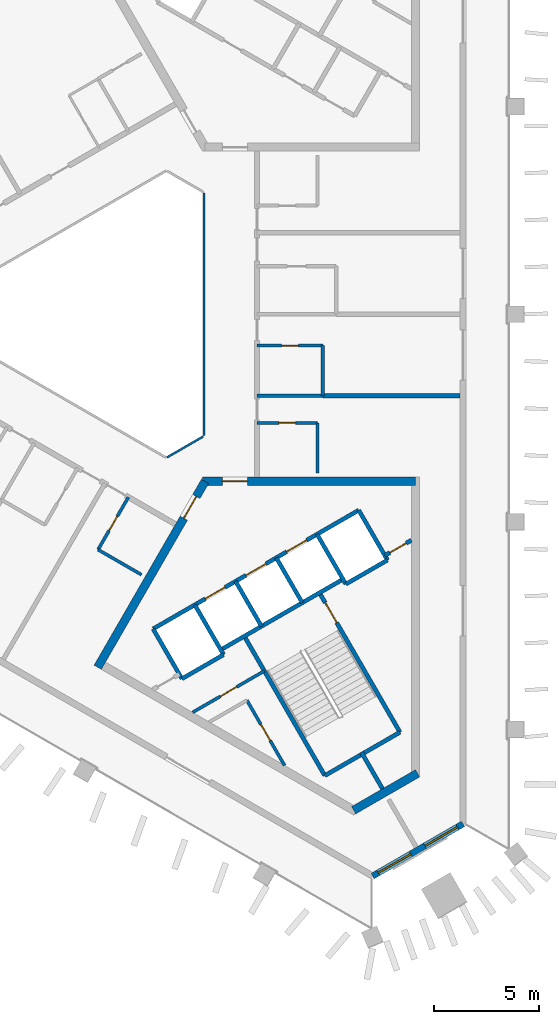
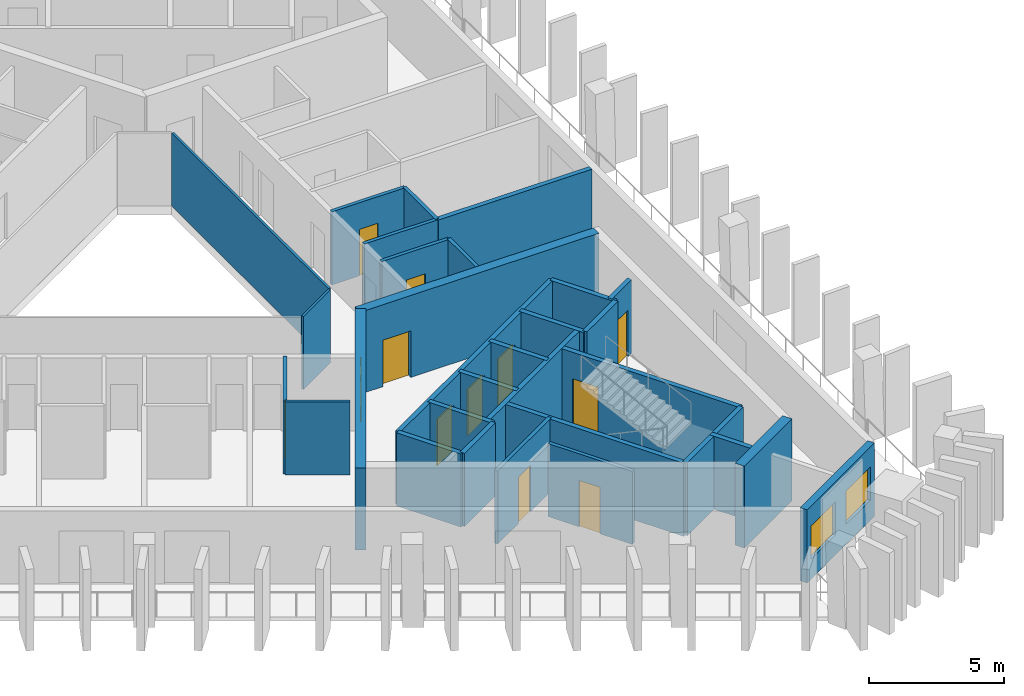
# One storey, part 3 of 10: 31 walls, 12 doors, 2 windows, 14 openings.
"""IFC4 building model written with IfcOpenShell, lengths in metres."""

from ifc_helpers import new_model, si_unit, direction, frame, frame_2d, origin, place, context, subcontext, project, spatial, rectangle, extrude, material, layer, layer_set, type_object, element, fill, save


model = new_model("IFC4")

# Units and contexts
model_context = context("Model", 3, precision=1e-05, world=origin(), true_north=direction((0.0, 1.0)))
body_context = subcontext(model_context, "Body", "Model", "MODEL_VIEW")
ifc_project = project(units=[si_unit("LENGTHUNIT", "METRE"), si_unit("AREAUNIT", "SQUARE_METRE"), si_unit("VOLUMEUNIT", "CUBIC_METRE"), si_unit("PLANEANGLEUNIT", "RADIAN"), si_unit("MASSUNIT", "GRAM", prefix="KILO")], contexts=[model_context])

# Site, building, storey
site_placement = place(None, origin())
site = spatial("IfcSite", under=ifc_project, at=site_placement, CompositionType="ELEMENT")
building_placement = place(site_placement, origin())
building = spatial("IfcBuilding", under=site, at=building_placement, Name="Jabali Bay Hotel Tower and Convention Centre", CompositionType="ELEMENT")
storey_placement = place(building_placement, frame((0.0, 0.0, 255.300048828125)))
storey = spatial("IfcBuildingStorey", under=building, at=storey_placement, Name="L62", CompositionType="ELEMENT", Elevation=255.300048828125)

# Walls
ifc_material_1 = material(Name="Fire-resistant glazing", Category="glass")
ifc_layer_1 = layer(ifc_material_1, 0.10009765625)
ifc_layer_set_1 = layer_set([ifc_layer_1], Name="Fire-resistant glazing")
wall_type_1 = type_object("IfcWallType", Name="Atrium glazed screen 100", PredefinedType="PARTITIONING", material=ifc_layer_set_1)
wall_1_placement = place(storey_placement, frame((79.56005859375, 74.205810546875, 0.0), z_axis=(0.0, 0.0, 1.0), x_axis=(0.0, 1.0, 0.0)))
element("IfcWall", 1, at=wall_1_placement, inside=storey, type_object=wall_type_1, Name="Atrium screen 1 L62", PredefinedType="PARTITIONING", context=body_context, shape_type="SweptSolid", body=[
    extrude(rectangle(XDim=11.58837890625, YDim=0.10009765625, at=frame_2d((5.794189453125, 0.0))), origin(), (0.0, 0.0, 1.0), 3.300048828125),
])
wall_2_placement = place(storey_placement, frame((77.7978515625, 73.15380859375, 0.0), z_axis=(0.0, 0.0, 1.0), x_axis=(0.866041268327, 0.499972520799, 0.0)))
element("IfcWall", 2, at=wall_2_placement, inside=storey, type_object=wall_type_1, Name="Atrium screen 6 L62", PredefinedType="PARTITIONING", context=body_context, shape_type="SweptSolid", body=[
    extrude(rectangle(XDim=2.0, YDim=0.10009765625, at=frame_2d((1.0, 0.0))), origin(), (0.0, 0.0, 1.0), 3.300048828125),
])
ifc_material_2 = material(Name="Concrete C40", Category="concrete")
ifc_layer_2 = layer(ifc_material_2, 0.199951171875)
ifc_layer_set_2 = layer_set([ifc_layer_2], Name="Concrete C40")
wall_type_2 = type_object("IfcWallType", Name="Core partition wall 200", PredefinedType="PARTITIONING", material=ifc_layer_set_2)
wall_3_placement = place(storey_placement, frame((87.090087890625, 59.0595703125, 0.0), z_axis=(0.0, 0.0, 1.0), x_axis=(0.499941815747, -0.866058993873, 0.0)))
element("IfcWall", 3, at=wall_3_placement, inside=storey, type_object=wall_type_2, Name="Core wall 2.5 L62", PredefinedType="PARTITIONING", context=body_context, shape_type="SweptSolid", body=[
    extrude(rectangle(XDim=2.023193359375, YDim=0.199951171875, at=frame_2d((1.01171875, 0.0))), origin(), (0.0, 0.0, 1.0), 3.300048828125),
])

# Wall, opening, door
wall_4_placement = place(storey_placement, frame((88.214599609375, 68.46142578125, 0.0), z_axis=(0.0, 0.0, 1.0), x_axis=(0.865982457891, 0.500074377092, 0.0)))
wall_4 = element("IfcWall", 4, at=wall_4_placement, inside=storey, type_object=wall_type_2, Name="Core wall 2.13 L62", PredefinedType="PARTITIONING", context=body_context, shape_type="SweptSolid", body=[
    extrude(rectangle(XDim=1.461181640625, YDim=0.199951171875, at=frame_2d((0.73046875, 0.0))), origin(), (0.0, 0.0, 1.0), 3.300048828125),
])
opening_1_placement = place(wall_4_placement, frame((0.280517578125, 0.0, 0.0)))
opening_1 = element("IfcOpeningElement", 5, at=opening_1_placement, cuts=wall_4, Name="Opening D1372", PredefinedType="OPENING", context=body_context, shape_type="SweptSolid", body=[
    extrude(rectangle(XDim=0.89990234375, YDim=2.10009765625, at=frame_2d((0.449951171875, 1.050048828125))), frame((0.0, 0.1103515625, 0.0), z_axis=(0.0, -1.0, 0.0), x_axis=(1.0, 0.0, 0.0)), (0.0, 0.0, 1.0), 0.220947265625),
])
ifc_material_3 = material(Name="Fire-rated steel door", Category="steel")
door_type_1 = type_object("IfcDoorType", Name="Vestibule fire door 900 x 2100", OperationType="NOTDEFINED", PredefinedType="NOTDEFINED", material=ifc_material_3)
door_1_placement = place(opening_1_placement, origin())
door_1 = element("IfcDoor", 6, at=door_1_placement, inside=storey, type_object=door_type_1, Name="Vestibule fire door D1372", OperationType="SINGLE_SWING_LEFT", OverallHeight=2.10009765625, OverallWidth=0.89990234375, PredefinedType="NOTDEFINED", context=body_context, shape_type="SweptSolid", body=[
    extrude(rectangle(XDim=0.89990234375, YDim=2.10009765625, at=frame_2d((0.449951171875, 1.050048828125))), frame((0.0, 0.02490234375, 0.0), z_axis=(0.0, -1.0, 0.0), x_axis=(1.0, 0.0, 0.0)), (0.0, 0.0, 1.0), 0.050048828125),
])
fill(opening_1, door_1)

ifc_material_4 = material(Name="Fire-rated board partition")
ifc_layer_3 = layer(ifc_material_4, 0.14990234375)
ifc_layer_set_3 = layer_set([ifc_layer_3], Name="Fire-rated board partition")
wall_type_3 = type_object("IfcWallType", Name="Core room partition 150", PredefinedType="PARTITIONING", material=ifc_layer_set_3)
wall_5_placement = place(storey_placement, frame((81.618896484375, 61.53564453125, 0.0), z_axis=(0.0, 0.0, 1.0), x_axis=(0.499992664208, -0.866029639064, 0.0)))
wall_5 = element("IfcWall", 7, at=wall_5_placement, inside=storey, type_object=wall_type_3, Name="Core wall 2.1 L62", PredefinedType="PARTITIONING", context=body_context, shape_type="SweptSolid", body=[
    extrude(rectangle(XDim=3.59765625, YDim=0.14990234375, at=frame_2d((1.798828125, 0.0))), origin(), (0.0, 0.0, 1.0), 3.300048828125),
])
opening_2_placement = place(wall_5_placement, frame((1.321533203125, 0.0, 0.0)))
opening_2 = element("IfcOpeningElement", 8, at=opening_2_placement, cuts=wall_5, Name="Opening D1375", PredefinedType="OPENING", context=body_context, shape_type="SweptSolid", body=[
    extrude(rectangle(XDim=0.89990234375, YDim=2.10009765625, at=frame_2d((0.449951171875, 1.050048828125))), frame((0.0, 0.08544921875, 0.0), z_axis=(0.0, -1.0, 0.0), x_axis=(1.0, 0.0, 0.0)), (0.0, 0.0, 1.0), 0.1708984375),
])
door_type_2 = type_object("IfcDoorType", Name="Core room door 900 x 2100", OperationType="NOTDEFINED", PredefinedType="NOTDEFINED", material=ifc_material_3)
door_2_placement = place(opening_2_placement, origin())
door_2 = element("IfcDoor", 9, at=door_2_placement, inside=storey, type_object=door_type_2, Name="Core room door D1375", OperationType="SINGLE_SWING_LEFT", OverallHeight=2.10009765625, OverallWidth=0.89990234375, PredefinedType="NOTDEFINED", context=body_context, shape_type="SweptSolid", body=[
    extrude(rectangle(XDim=0.89990234375, YDim=2.10009765625, at=frame_2d((0.449951171875, 1.050048828125))), frame((0.0, 0.02490234375, 0.0), z_axis=(0.0, -1.0, 0.0), x_axis=(1.0, 0.0, 0.0)), (0.0, 0.0, 1.0), 0.050048828125),
])
fill(opening_2, door_2)

wall_6_placement = place(storey_placement, frame((79.02001953125, 60.958984375, 0.0), z_axis=(0.0, 0.0, 1.0), x_axis=(0.866028661061, 0.499994358189, 0.0)))
wall_6 = element("IfcWall", 10, at=wall_6_placement, inside=storey, type_object=wall_type_3, Name="Core wall 2.16 L62", PredefinedType="PARTITIONING", context=body_context, shape_type="SweptSolid", body=[
    extrude(rectangle(XDim=3.9638671875, YDim=0.14990234375, at=frame_2d((1.98193359375, 0.0))), origin(), (0.0, 0.0, 1.0), 3.300048828125),
])
opening_3_placement = place(wall_6_placement, frame((1.531982421875, 0.0, 0.0)))
opening_3 = element("IfcOpeningElement", 11, at=opening_3_placement, cuts=wall_6, Name="Opening D1371", PredefinedType="OPENING", context=body_context, shape_type="SweptSolid", body=[
    extrude(rectangle(XDim=0.89990234375, YDim=2.10009765625, at=frame_2d((0.449951171875, 1.050048828125))), frame((0.0, 0.08544921875, 0.0), z_axis=(0.0, -1.0, 0.0), x_axis=(1.0, 0.0, 0.0)), (0.0, 0.0, 1.0), 0.1708984375),
])
door_3_placement = place(opening_3_placement, origin())
door_3 = element("IfcDoor", 12, at=door_3_placement, inside=storey, type_object=door_type_2, Name="Core room door D1371", OperationType="SINGLE_SWING_RIGHT", OverallHeight=2.10009765625, OverallWidth=0.89990234375, PredefinedType="NOTDEFINED", context=body_context, shape_type="SweptSolid", body=[
    extrude(rectangle(XDim=0.89990234375, YDim=2.10009765625, at=frame_2d((0.449951171875, 1.050048828125))), frame((0.0, 0.02490234375, 0.0), z_axis=(0.0, -1.0, 0.0), x_axis=(1.0, 0.0, 0.0)), (0.0, 0.0, 1.0), 0.050048828125),
])
fill(opening_3, door_3)

# Walls
ifc_layer_4 = layer(ifc_material_2, 0.199951171875)
ifc_layer_set_4 = layer_set([ifc_layer_4], Name="Concrete C40")
wall_type_4 = type_object("IfcWallType", Name="Core stair wall 200", PredefinedType="SOLIDWALL", material=ifc_layer_set_4)
for number, where, z_axis, x_axis, name in (
    (13, (77.13525390625, 64.95166015625, 0.0), (0.0, 0.0, 1.0), (0.499996545922, -0.866027397988, 0.0), "Core wall 2.0 L62"),
    (14, (79.127197265625, 66.1015625, 0.0), (0.0, 0.0, 1.0), (0.499996545922, -0.866027397988, 0.0), "Core wall 2.2 L62"),
):
    element("IfcWall", number, at=place(storey_placement, frame(where, z_axis=z_axis, x_axis=x_axis)), inside=storey, type_object=wall_type_4, Name=name, PredefinedType="SOLIDWALL", context=body_context, shape_type="SweptSolid", body=[
        extrude(rectangle(XDim=2.75, YDim=0.199951171875, at=frame_2d((1.375, 0.0))), origin(), (0.0, 0.0, 1.0), 3.300048828125),
    ])
wall_7_placement = place(storey_placement, frame((81.492919921875, 64.603759765625, 0.0), z_axis=(0.0, 0.0, 1.0), x_axis=(0.500006057782, -0.866021906294, 0.0)))
element("IfcWall", 15, at=wall_7_placement, inside=storey, type_object=wall_type_4, Name="Core wall 2.3 L62", PredefinedType="SOLIDWALL", context=body_context, shape_type="SweptSolid", body=[
    extrude(rectangle(XDim=7.7001953125, YDim=0.199951171875, at=frame_2d((3.85009765625, 0.0))), origin(), (0.0, 0.0, 1.0), 3.300048828125),
])
for number, where, z_axis, x_axis, name in (
    (16, (81.07568359375, 67.2265625, 0.0), (0.0, 0.0, 1.0), (0.50000366821, -0.866023285932, 0.0), "Core wall 2.4 L62"),
    (17, (83.024169921875, 68.3515625, 0.0), (0.0, 0.0, 1.0), (0.50000366821, -0.866023285932, 0.0), "Core wall 2.6 L62"),
):
    element("IfcWall", number, at=place(storey_placement, frame(where, z_axis=z_axis, x_axis=x_axis)), inside=storey, type_object=wall_type_4, Name=name, PredefinedType="SOLIDWALL", context=body_context, shape_type="SweptSolid", body=[
        extrude(rectangle(XDim=2.47998046875, YDim=0.199951171875, at=frame_2d((1.239990234375, 0.0))), origin(), (0.0, 0.0, 1.0), 3.300048828125),
    ])

# Wall, opening, door
wall_8_placement = place(storey_placement, frame((85.0869140625, 66.6787109375, 0.0), z_axis=(0.0, 0.0, 1.0), x_axis=(0.500019787375, -0.866013979237, 0.0)))
wall_8 = element("IfcWall", 18, at=wall_8_placement, inside=storey, type_object=wall_type_4, Name="Core wall 2.7 L62", PredefinedType="SOLIDWALL", context=body_context, shape_type="SweptSolid", body=[
    extrude(rectangle(XDim=7.699951171875, YDim=0.199951171875, at=frame_2d((3.85009765625, 0.0))), origin(), (0.0, 0.0, 1.0), 3.300048828125),
])
opening_4_placement = place(wall_8_placement, frame((0.550048828125, 0.0, 0.0)))
opening_4 = element("IfcOpeningElement", 19, at=opening_4_placement, cuts=wall_8, Name="Opening D1374", PredefinedType="OPENING", context=body_context, shape_type="SweptSolid", body=[
    extrude(rectangle(XDim=1.10009765625, YDim=2.10009765625, at=frame_2d((0.550048828125, 1.050048828125))), frame((0.0, 0.1103515625, 0.0), z_axis=(0.0, -1.0, 0.0), x_axis=(1.0, 0.0, 0.0)), (0.0, 0.0, 1.0), 0.220947265625),
])
door_type_3 = type_object("IfcDoorType", Name="Stair fire door 1100 x 2100", OperationType="NOTDEFINED", PredefinedType="NOTDEFINED", material=ifc_material_3)
door_4_placement = place(opening_4_placement, origin())
door_4 = element("IfcDoor", 20, at=door_4_placement, inside=storey, type_object=door_type_3, Name="Stair fire door D1374", OperationType="SINGLE_SWING_RIGHT", OverallHeight=2.10009765625, OverallWidth=1.10009765625, PredefinedType="NOTDEFINED", context=body_context, shape_type="SweptSolid", body=[
    extrude(rectangle(XDim=1.10009765625, YDim=2.10009765625, at=frame_2d((0.550048828125, 1.050048828125))), frame((0.0, 0.02490234375, 0.0), z_axis=(0.0, -1.0, 0.0), x_axis=(1.0, 0.0, 0.0)), (0.0, 0.0, 1.0), 0.050048828125),
])
fill(opening_4, door_4)

# Walls
for number, where, z_axis, x_axis, name in (
    (21, (84.972900390625, 69.4765625, 0.0), (0.0, 0.0, 1.0), (0.499996545922, -0.866027397988, 0.0), "Core wall 2.8 L62"),
    (22, (86.964599609375, 70.62646484375, 0.0), (0.0, 0.0, 1.0), (0.499996545922, -0.866027397988, 0.0), "Core wall 2.9 L62"),
):
    element("IfcWall", number, at=place(storey_placement, frame(where, z_axis=z_axis, x_axis=x_axis)), inside=storey, type_object=wall_type_4, Name=name, PredefinedType="SOLIDWALL", context=body_context, shape_type="SweptSolid", body=[
        extrude(rectangle(XDim=2.75, YDim=0.199951171875, at=frame_2d((1.375, 0.0))), origin(), (0.0, 0.0, 1.0), 3.300048828125),
    ])

# Wall, openings, doors
wall_9_placement = place(storey_placement, frame((77.13525390625, 64.95166015625, 0.0), z_axis=(0.0, 0.0, 1.0), x_axis=(0.866031916153, 0.499988720078, 0.0)))
wall_9 = element("IfcWall", 23, at=wall_9_placement, inside=storey, type_object=wall_type_4, Name="Core wall 2.10 L62", PredefinedType="SOLIDWALL", context=body_context, shape_type="SweptSolid", body=[
    extrude(rectangle(XDim=11.349853515625, YDim=0.199951171875, at=frame_2d((5.6748046875, 0.0))), origin(), (0.0, 0.0, 1.0), 3.300048828125),
])
opening_5_placement = place(wall_9_placement, frame((2.875, 0.0, 0.0)))
opening_5 = element("IfcOpeningElement", 24, at=opening_5_placement, cuts=wall_9, Name="Opening LD12-L62", PredefinedType="OPENING", context=body_context, shape_type="SweptSolid", body=[
    extrude(rectangle(XDim=1.10009765625, YDim=2.10009765625, at=frame_2d((0.550048828125, 1.050048828125))), frame((0.0, 0.1103515625, 0.0), z_axis=(0.0, -1.0, 0.0), x_axis=(1.0, 0.0, 0.0)), (0.0, 0.0, 1.0), 0.220947265625),
])
opening_6_placement = place(wall_9_placement, frame((5.125, 0.0, 0.0)))
opening_6 = element("IfcOpeningElement", 25, at=opening_6_placement, cuts=wall_9, Name="Opening LD13-L62", PredefinedType="OPENING", context=body_context, shape_type="SweptSolid", body=[
    extrude(rectangle(XDim=1.10009765625, YDim=2.10009765625, at=frame_2d((0.550048828125, 1.050048828125))), frame((0.0, 0.1103515625, 0.0), z_axis=(0.0, -1.0, 0.0), x_axis=(1.0, 0.0, 0.0)), (0.0, 0.0, 1.0), 0.220947265625),
])
opening_7_placement = place(wall_9_placement, frame((7.375, 0.0, 0.0)))
opening_7 = element("IfcOpeningElement", 26, at=opening_7_placement, cuts=wall_9, Name="Opening LD14-L62", PredefinedType="OPENING", context=body_context, shape_type="SweptSolid", body=[
    extrude(rectangle(XDim=1.10009765625, YDim=2.10009765625, at=frame_2d((0.550048828125, 1.050048828125))), frame((0.0, 0.1103515625, 0.0), z_axis=(0.0, -1.0, 0.0), x_axis=(1.0, 0.0, 0.0)), (0.0, 0.0, 1.0), 0.220947265625),
])
ifc_material_5 = material(Name="Stainless steel landing door", Category="steel")
door_type_4 = type_object("IfcDoorType", Name="Landing door 1100 x 2100", OperationType="NOTDEFINED", PredefinedType="NOTDEFINED", material=ifc_material_5)
door_5_placement = place(opening_5_placement, origin())
door_5 = element("IfcDoor", 27, at=door_5_placement, inside=storey, type_object=door_type_4, Name="Landing doors LD12-L62", OperationType="SLIDING_TO_LEFT", OverallHeight=2.10009765625, OverallWidth=1.10009765625, PredefinedType="NOTDEFINED", context=body_context, shape_type="SweptSolid", body=[
    extrude(rectangle(XDim=1.10009765625, YDim=2.10009765625, at=frame_2d((0.550048828125, 1.050048828125))), frame((0.0, 0.02490234375, 0.0), z_axis=(0.0, -1.0, 0.0), x_axis=(1.0, 0.0, 0.0)), (0.0, 0.0, 1.0), 0.050048828125),
])
fill(opening_5, door_5)
door_6_placement = place(opening_6_placement, origin())
door_6 = element("IfcDoor", 28, at=door_6_placement, inside=storey, type_object=door_type_4, Name="Landing doors LD13-L62", OperationType="SLIDING_TO_RIGHT", OverallHeight=2.10009765625, OverallWidth=1.10009765625, PredefinedType="NOTDEFINED", context=body_context, shape_type="SweptSolid", body=[
    extrude(rectangle(XDim=1.10009765625, YDim=2.10009765625, at=frame_2d((0.550048828125, 1.050048828125))), frame((0.0, 0.02490234375, 0.0), z_axis=(0.0, -1.0, 0.0), x_axis=(1.0, 0.0, 0.0)), (0.0, 0.0, 1.0), 0.050048828125),
])
fill(opening_6, door_6)
door_7_placement = place(opening_7_placement, origin())
door_7 = element("IfcDoor", 29, at=door_7_placement, inside=storey, type_object=door_type_4, Name="Landing doors LD14-L62", OperationType="SLIDING_TO_LEFT", OverallHeight=2.10009765625, OverallWidth=1.10009765625, PredefinedType="NOTDEFINED", context=body_context, shape_type="SweptSolid", body=[
    extrude(rectangle(XDim=1.10009765625, YDim=2.10009765625, at=frame_2d((0.550048828125, 1.050048828125))), frame((0.0, 0.02490234375, 0.0), z_axis=(0.0, -1.0, 0.0), x_axis=(1.0, 0.0, 0.0)), (0.0, 0.0, 1.0), 0.050048828125),
])
fill(opening_7, door_7)

# Walls
wall_10_placement = place(storey_placement, frame((80.3671875, 63.953857421875, 0.0), z_axis=(0.0, 0.0, 1.0), x_axis=(0.866026575979, 0.499997969693, 0.0)))
element("IfcWall", 30, at=wall_10_placement, inside=storey, type_object=wall_type_4, Name="Core wall 2.11 L62", PredefinedType="SOLIDWALL", context=body_context, shape_type="SweptSolid", body=[
    extrude(rectangle(XDim=6.75, YDim=0.199951171875, at=frame_2d((3.375, 0.0))), origin(), (0.0, 0.0, 1.0), 3.300048828125),
])
wall_11_placement = place(storey_placement, frame((78.51025390625, 62.570068359375, 0.0), z_axis=(0.0, 0.0, 1.0), x_axis=(0.866053019151, 0.499952165731, 0.0)))
element("IfcWall", 31, at=wall_11_placement, inside=storey, type_object=wall_type_4, Name="Core wall 2.14 L62", PredefinedType="SOLIDWALL", context=body_context, shape_type="SweptSolid", body=[
    extrude(rectangle(XDim=2.300048828125, YDim=0.199951171875, at=frame_2d((1.14990234375, 0.0))), origin(), (0.0, 0.0, 1.0), 3.300048828125),
])
wall_12_placement = place(storey_placement, frame((86.347900390625, 67.094970703125, 0.0), z_axis=(0.0, 0.0, 1.0), x_axis=(0.86602648383, 0.499998129301, 0.0)))
element("IfcWall", 32, at=wall_12_placement, inside=storey, type_object=wall_type_4, Name="Core wall 2.15 L62", PredefinedType="SOLIDWALL", context=body_context, shape_type="SweptSolid", body=[
    extrude(rectangle(XDim=2.2998046875, YDim=0.199951171875, at=frame_2d((1.14990234375, 0.0))), origin(), (0.0, 0.0, 1.0), 3.300048828125),
])
wall_13_placement = place(storey_placement, frame((85.343017578125, 57.935302734375, 0.0), z_axis=(0.0, 0.0, 1.0), x_axis=(0.866004344652, 0.500036473714, 0.0)))
element("IfcWall", 33, at=wall_13_placement, inside=storey, type_object=wall_type_4, Name="Core wall 2.18 L62", PredefinedType="SOLIDWALL", context=body_context, shape_type="SweptSolid", body=[
    extrude(rectangle(XDim=4.150146484375, YDim=0.199951171875, at=frame_2d((2.0751953125, 0.0))), origin(), (0.0, 0.0, 1.0), 3.300048828125),
])

# Wall, opening, door
ifc_material_6 = material(Name="Concrete C60", Category="concrete")
ifc_layer_5 = layer(ifc_material_6, 0.39990234375)
ifc_layer_set_5 = layer_set([ifc_layer_5], Name="Concrete C60")
wall_type_5 = type_object("IfcWallType", Name="Core wall 400", PredefinedType="SHEAR", material=ifc_layer_set_5)
wall_14_placement = place(storey_placement, frame((79.615478515625, 72.005859375, 0.0), z_axis=(0.0, 0.0, 1.0), x_axis=(-0.50000177223, -0.866024380585, 0.0)))
wall_14 = element("IfcWall", 34, at=wall_14_placement, inside=storey, type_object=wall_type_5, Name="Core wall 3.1 L62", PredefinedType="SHEAR", context=body_context, shape_type="SweptSolid", body=[
    extrude(rectangle(XDim=10.2646484375, YDim=0.39990234375, at=frame_2d((5.13232421875, 0.0))), origin(), (0.0, 0.0, 1.0), 3.699951171875),
])
opening_8_placement = place(wall_14_placement, frame((0.83447265625, 0.0, 0.0)))
opening_8 = element("IfcOpeningElement", 35, at=opening_8_placement, cuts=wall_14, Name="Opening D1369", PredefinedType="OPENING", context=body_context, shape_type="SweptSolid", body=[
    extrude(rectangle(XDim=1.199951171875, YDim=2.10009765625, at=frame_2d((0.60009765625, 1.050048828125))), frame((0.0, 0.21044921875, 0.0), z_axis=(0.0, -1.0, 0.0), x_axis=(1.0, 0.0, 0.0)), (0.0, 0.0, 1.0), 0.4208984375),
])
door_type_5 = type_object("IfcDoorType", Name="Corridor end fire door 1200 x 2100", OperationType="NOTDEFINED", PredefinedType="NOTDEFINED", material=ifc_material_3)
door_8_placement = place(opening_8_placement, origin())
door_8 = element("IfcDoor", 36, at=door_8_placement, inside=storey, type_object=door_type_5, Name="Corridor end fire door D1369", OperationType="SINGLE_SWING_RIGHT", OverallHeight=2.10009765625, OverallWidth=1.199951171875, PredefinedType="NOTDEFINED", context=body_context, shape_type="SweptSolid", body=[
    extrude(rectangle(XDim=1.199951171875, YDim=2.10009765625, at=frame_2d((0.60009765625, 1.050048828125))), frame((0.0, 0.02490234375, 0.0), z_axis=(0.0, -1.0, 0.0), x_axis=(1.0, 0.0, 0.0)), (0.0, 0.0, 1.0), 0.050048828125),
])
fill(opening_8, door_8)

# Wall
wall_15_placement = place(storey_placement, frame((86.72314453125, 56.28076171875, 0.0), z_axis=(0.0, 0.0, 1.0), x_axis=(0.866025485263, 0.499999858875, 0.0)))
element("IfcWall", 37, at=wall_15_placement, inside=storey, type_object=wall_type_5, Name="Core wall 3.3 L62", PredefinedType="SHEAR", context=body_context, shape_type="SweptSolid", body=[
    extrude(rectangle(XDim=3.52978515625, YDim=0.39990234375, at=frame_2d((1.764892578125, 0.0))), origin(), (0.0, 0.0, 1.0), 3.699951171875),
])

# Wall, opening, door
wall_16_placement = place(storey_placement, frame((89.679931640625, 72.005859375, 0.0), z_axis=(0.0, 0.0, 1.0), x_axis=(-1.0, 0.0, 0.0)))
wall_16 = element("IfcWall", 38, at=wall_16_placement, inside=storey, type_object=wall_type_5, Name="Core wall 3.5 L62", PredefinedType="SHEAR", context=body_context, shape_type="SweptSolid", body=[
    extrude(rectangle(XDim=10.179931640625, YDim=0.39990234375, at=frame_2d((5.08984375, 0.0))), origin(), (0.0, 0.0, 1.0), 3.699951171875),
])
opening_9_placement = place(wall_16_placement, frame((8.030029296875, 0.0, 0.0)))
opening_9 = element("IfcOpeningElement", 39, at=opening_9_placement, cuts=wall_16, Name="Opening D1370", PredefinedType="OPENING", context=body_context, shape_type="SweptSolid", body=[
    extrude(rectangle(XDim=1.199951171875, YDim=2.10009765625, at=frame_2d((0.60009765625, 1.050048828125))), frame((0.0, 0.21044921875, 0.0), z_axis=(0.0, -1.0, 0.0), x_axis=(1.0, 0.0, 0.0)), (0.0, 0.0, 1.0), 0.4208984375),
])
door_9_placement = place(opening_9_placement, origin())
door_9 = element("IfcDoor", 40, at=door_9_placement, inside=storey, type_object=door_type_5, Name="Corridor end fire door D1370", OperationType="SINGLE_SWING_LEFT", OverallHeight=2.10009765625, OverallWidth=1.199951171875, PredefinedType="NOTDEFINED", context=body_context, shape_type="SweptSolid", body=[
    extrude(rectangle(XDim=1.199951171875, YDim=2.10009765625, at=frame_2d((0.60009765625, 1.050048828125))), frame((0.0, 0.02490234375, 0.0), z_axis=(0.0, -1.0, 0.0), x_axis=(1.0, 0.0, 0.0)), (0.0, 0.0, 1.0), 0.050048828125),
])
fill(opening_9, door_9)

# Wall, openings, windows
ifc_layer_6 = layer(ifc_material_2, 0.300048828125)
ifc_layer_set_6 = layer_set([ifc_layer_6], Name="Concrete C40")
wall_type_6 = type_object("IfcWallType", Name="External wall 300", PredefinedType="SOLIDWALL", material=ifc_layer_set_6)
wall_17_placement = place(storey_placement, frame((91.951416015625, 55.6259765625, 0.0), z_axis=(0.0, 0.0, 1.0), x_axis=(-0.866020080793, -0.500009219579, 0.0)))
wall_17 = element("IfcWall", 41, at=wall_17_placement, inside=storey, type_object=wall_type_6, Name="External wall south-east chamfer L62", PredefinedType="SOLIDWALL", context=body_context, shape_type="SweptSolid", body=[
    extrude(rectangle(XDim=4.98681640625, YDim=0.300048828125, at=frame_2d((2.493408203125, 0.0))), origin(), (0.0, 0.0, 1.0), 3.300048828125),
])
opening_10_placement = place(wall_17_placement, frame((0.303955078125, 0.0, 0.89990234375)))
opening_10 = element("IfcOpeningElement", 42, at=opening_10_placement, cuts=wall_17, Name="Opening W1", PredefinedType="OPENING", context=body_context, shape_type="SweptSolid", body=[
    extrude(rectangle(XDim=1.800048828125, YDim=1.5, at=frame_2d((0.89990234375, 0.75))), frame((0.0, 0.16064453125, 0.0), z_axis=(0.0, -1.0, 0.0), x_axis=(1.0, 0.0, 0.0)), (0.0, 0.0, 1.0), 0.321044921875),
])
opening_11_placement = place(wall_17_placement, frame((2.8828125, 0.0, 0.89990234375)))
opening_11 = element("IfcOpeningElement", 43, at=opening_11_placement, cuts=wall_17, Name="Opening W1", PredefinedType="OPENING", context=body_context, shape_type="SweptSolid", body=[
    extrude(rectangle(XDim=1.800048828125, YDim=1.5, at=frame_2d((0.89990234375, 0.75))), frame((0.0, 0.16064453125, 0.0), z_axis=(0.0, -1.0, 0.0), x_axis=(1.0, 0.0, 0.0)), (0.0, 0.0, 1.0), 0.321044921875),
])
ifc_material_7 = material(Name="Glass", Category="glass")
window_type = type_object("IfcWindowType", Name="Window 1800 x 1500", PartitioningType="SINGLE_PANEL", PredefinedType="WINDOW", material=ifc_material_7)
window_1_placement = place(opening_10_placement, origin())
window_1 = element("IfcWindow", 44, at=window_1_placement, inside=storey, type_object=window_type, Name="Window 6201", OverallHeight=1.5, OverallWidth=1.800048828125, PartitioningType="SINGLE_PANEL", PredefinedType="WINDOW", context=body_context, shape_type="SweptSolid", body=[
    extrude(rectangle(XDim=1.800048828125, YDim=1.5, at=frame_2d((0.89990234375, 0.75))), frame((0.0, 0.030029296875, 0.0), z_axis=(0.0, -1.0, 0.0), x_axis=(1.0, 0.0, 0.0)), (0.0, 0.0, 1.0), 0.06005859375),
])
fill(opening_10, window_1)
window_2_placement = place(opening_11_placement, origin())
window_2 = element("IfcWindow", 45, at=window_2_placement, inside=storey, type_object=window_type, Name="Window 6210", OverallHeight=1.5, OverallWidth=1.800048828125, PartitioningType="SINGLE_PANEL", PredefinedType="WINDOW", context=body_context, shape_type="SweptSolid", body=[
    extrude(rectangle(XDim=1.800048828125, YDim=1.5, at=frame_2d((0.89990234375, 0.75))), frame((0.0, 0.030029296875, 0.0), z_axis=(0.0, -1.0, 0.0), x_axis=(1.0, 0.0, 0.0)), (0.0, 0.0, 1.0), 0.06005859375),
])
fill(opening_11, window_2)

# Wall, opening, door
ifc_material_8 = material(Name="Plasterboard on steel stud", Category="steel")
ifc_layer_7 = layer(ifc_material_8, 0.14990234375)
ifc_layer_set_7 = layer_set([ifc_layer_7], Name="Plasterboard on steel stud")
wall_type_7 = type_object("IfcWallType", Name="Partition 150 wet", PredefinedType="PARTITIONING", material=ifc_layer_set_7)
wall_18_placement = place(storey_placement, frame((82.10009765625, 74.802978515625, 0.0), z_axis=(0.0, 0.0, 1.0), x_axis=(1.0, 0.0, 0.0)))
wall_18 = element("IfcWall", 46, at=wall_18_placement, inside=storey, type_object=wall_type_7, Name="Partition P03 L62 001", PredefinedType="PARTITIONING", context=body_context, shape_type="SweptSolid", body=[
    extrude(rectangle(XDim=2.89990234375, YDim=0.14990234375, at=frame_2d((1.449951171875, 0.0))), origin(), (0.0, 0.0, 1.0), 3.300048828125),
])
opening_12_placement = place(wall_18_placement, frame((1.050048828125, 0.0, 0.0)))
opening_12 = element("IfcOpeningElement", 47, at=opening_12_placement, cuts=wall_18, Name="Opening 6201", PredefinedType="OPENING", context=body_context, shape_type="SweptSolid", body=[
    extrude(rectangle(XDim=0.800048828125, YDim=2.10009765625, at=frame_2d((0.39990234375, 1.050048828125))), frame((0.0, 0.08544921875, 0.0), z_axis=(0.0, -1.0, 0.0), x_axis=(1.0, 0.0, 0.0)), (0.0, 0.0, 1.0), 0.1708984375),
])
ifc_material_9 = material(Name="Timber", Category="wood")
door_type_6 = type_object("IfcDoorType", Name="En-suite door 800 x 2100", OperationType="NOTDEFINED", PredefinedType="NOTDEFINED", material=ifc_material_9)
door_10_placement = place(opening_12_placement, origin())
door_10 = element("IfcDoor", 48, at=door_10_placement, inside=storey, type_object=door_type_6, Name="Door 6201", OperationType="SINGLE_SWING_LEFT", OverallHeight=2.10009765625, OverallWidth=0.800048828125, PredefinedType="NOTDEFINED", context=body_context, shape_type="SweptSolid", body=[
    extrude(rectangle(XDim=0.800048828125, YDim=2.10009765625, at=frame_2d((0.39990234375, 1.050048828125))), frame((0.0, 0.02490234375, 0.0), z_axis=(0.0, -1.0, 0.0), x_axis=(1.0, 0.0, 0.0)), (0.0, 0.0, 1.0), 0.050048828125),
])
fill(opening_12, door_10)

# Walls
wall_19_placement = place(storey_placement, frame((85.0, 74.802978515625, 0.0), z_axis=(0.0, 0.0, 1.0), x_axis=(0.0, -1.0, 0.0)))
element("IfcWall", 49, at=wall_19_placement, inside=storey, type_object=wall_type_7, Name="Partition P03 L62 002", PredefinedType="PARTITIONING", context=body_context, shape_type="SweptSolid", body=[
    extrude(rectangle(XDim=2.398193359375, YDim=0.14990234375, at=frame_2d((1.19921875, 0.0))), origin(), (0.0, 0.0, 1.0), 3.300048828125),
])
wall_20_placement = place(storey_placement, frame((85.245361328125, 76.102783203125, 0.0), z_axis=(0.0, 0.0, 1.0), x_axis=(-1.0, 0.0, 0.0)))
element("IfcWall", 50, at=wall_20_placement, inside=storey, type_object=wall_type_7, Name="Partition P03 L62 004", PredefinedType="PARTITIONING", context=body_context, shape_type="SweptSolid", body=[
    extrude(rectangle(XDim=3.145263671875, YDim=0.14990234375, at=frame_2d((1.57275390625, 0.0))), origin(), (0.0, 0.0, 1.0), 3.300048828125),
])

# Wall, opening, door
wall_21_placement = place(storey_placement, frame((82.10009765625, 78.5, 0.0), z_axis=(0.0, 0.0, 1.0), x_axis=(1.0, 0.0, 0.0)))
wall_21 = element("IfcWall", 51, at=wall_21_placement, inside=storey, type_object=wall_type_7, Name="Partition P03 L62 006", PredefinedType="PARTITIONING", context=body_context, shape_type="SweptSolid", body=[
    extrude(rectangle(XDim=3.145263671875, YDim=0.14990234375, at=frame_2d((1.57275390625, 0.0))), origin(), (0.0, 0.0, 1.0), 3.300048828125),
])
opening_13_placement = place(wall_21_placement, frame((1.173095703125, 0.0, 0.0)))
opening_13 = element("IfcOpeningElement", 52, at=opening_13_placement, cuts=wall_21, Name="Opening 6203", PredefinedType="OPENING", context=body_context, shape_type="SweptSolid", body=[
    extrude(rectangle(XDim=0.800048828125, YDim=2.10009765625, at=frame_2d((0.39990234375, 1.050048828125))), frame((0.0, 0.08544921875, 0.0), z_axis=(0.0, -1.0, 0.0), x_axis=(1.0, 0.0, 0.0)), (0.0, 0.0, 1.0), 0.1708984375),
])
door_11_placement = place(opening_13_placement, origin())
door_11 = element("IfcDoor", 53, at=door_11_placement, inside=storey, type_object=door_type_6, Name="Door 6203", OperationType="SINGLE_SWING_RIGHT", OverallHeight=2.10009765625, OverallWidth=0.800048828125, PredefinedType="NOTDEFINED", context=body_context, shape_type="SweptSolid", body=[
    extrude(rectangle(XDim=0.800048828125, YDim=2.10009765625, at=frame_2d((0.39990234375, 1.050048828125))), frame((0.0, 0.02490234375, 0.0), z_axis=(0.0, -1.0, 0.0), x_axis=(1.0, 0.0, 0.0)), (0.0, 0.0, 1.0), 0.050048828125),
])
fill(opening_13, door_11)

# Walls
wall_22_placement = place(storey_placement, frame((85.245361328125, 78.5, 0.0), z_axis=(0.0, 0.0, 1.0), x_axis=(0.0, -1.0, 0.0)))
element("IfcWall", 54, at=wall_22_placement, inside=storey, type_object=wall_type_7, Name="Partition P03 L62 007", PredefinedType="PARTITIONING", context=body_context, shape_type="SweptSolid", body=[
    extrude(rectangle(XDim=2.397216796875, YDim=0.14990234375, at=frame_2d((1.19873046875, 0.0))), origin(), (0.0, 0.0, 1.0), 3.300048828125),
])
wall_23_placement = place(storey_placement, frame((76.57763671875, 67.542236328125, 0.0), z_axis=(0.0, 0.0, 1.0), x_axis=(-0.866048270239, 0.499960392047, 0.0)))
element("IfcWall", 55, at=wall_23_placement, inside=storey, type_object=wall_type_7, Name="Partition P03 L62 037", PredefinedType="PARTITIONING", context=body_context, shape_type="SweptSolid", body=[
    extrude(rectangle(XDim=2.398193359375, YDim=0.14990234375, at=frame_2d((1.19921875, 0.0))), origin(), (0.0, 0.0, 1.0), 3.300048828125),
])

# Wall, opening, door
wall_24_placement = place(storey_placement, frame((74.500732421875, 68.7412109375, 0.0), z_axis=(0.0, 0.0, 1.0), x_axis=(0.50005036918, 0.865996321171, 0.0)))
wall_24 = element("IfcWall", 56, at=wall_24_placement, inside=storey, type_object=wall_type_7, Name="Partition P03 L62 038", PredefinedType="PARTITIONING", context=body_context, shape_type="SweptSolid", body=[
    extrude(rectangle(XDim=2.900146484375, YDim=0.14990234375, at=frame_2d((1.4501953125, 0.0))), origin(), (0.0, 0.0, 1.0), 3.300048828125),
])
opening_14_placement = place(wall_24_placement, frame((1.050048828125, 0.0, 0.0)))
opening_14 = element("IfcOpeningElement", 57, at=opening_14_placement, cuts=wall_24, Name="Opening 6221", PredefinedType="OPENING", context=body_context, shape_type="SweptSolid", body=[
    extrude(rectangle(XDim=0.800048828125, YDim=2.10009765625, at=frame_2d((0.39990234375, 1.050048828125))), frame((0.0, 0.08544921875, 0.0), z_axis=(0.0, -1.0, 0.0), x_axis=(1.0, 0.0, 0.0)), (0.0, 0.0, 1.0), 0.1708984375),
])
door_12_placement = place(opening_14_placement, origin())
door_12 = element("IfcDoor", 58, at=door_12_placement, inside=storey, type_object=door_type_6, Name="Door 6221", OperationType="SINGLE_SWING_RIGHT", OverallHeight=2.10009765625, OverallWidth=0.800048828125, PredefinedType="NOTDEFINED", context=body_context, shape_type="SweptSolid", body=[
    extrude(rectangle(XDim=0.800048828125, YDim=2.10009765625, at=frame_2d((0.39990234375, 1.050048828125))), frame((0.0, 0.02490234375, 0.0), z_axis=(0.0, -1.0, 0.0), x_axis=(1.0, 0.0, 0.0)), (0.0, 0.0, 1.0), 0.050048828125),
])
fill(opening_14, door_12)

# Wall
ifc_layer_8 = layer(ifc_material_8, 0.199951171875)
ifc_layer_set_8 = layer_set([ifc_layer_8], Name="Plasterboard on steel stud")
wall_type_8 = type_object("IfcWallType", Name="Partition 200 party", PredefinedType="PARTITIONING", material=ifc_layer_set_8)
wall_25_placement = place(storey_placement, frame((91.802490234375, 76.102783203125, 0.0), z_axis=(0.0, 0.0, 1.0), x_axis=(-1.0, 0.0, 0.0)))
element("IfcWall", 59, at=wall_25_placement, inside=storey, type_object=wall_type_8, Name="Partition P01 L62 003", PredefinedType="PARTITIONING", context=body_context, shape_type="SweptSolid", body=[
    extrude(rectangle(XDim=6.55712890625, YDim=0.199951171875, at=frame_2d((3.278564453125, 0.0))), origin(), (0.0, 0.0, 1.0), 3.300048828125),
])

save(model, "model.ifc")
